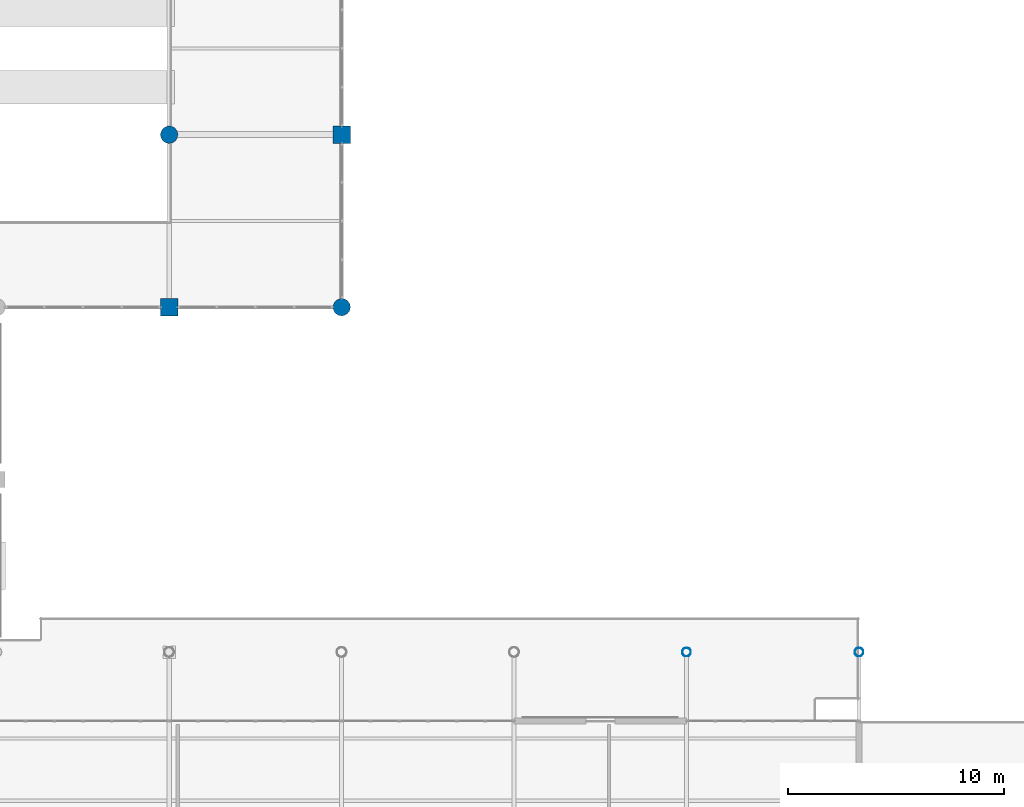
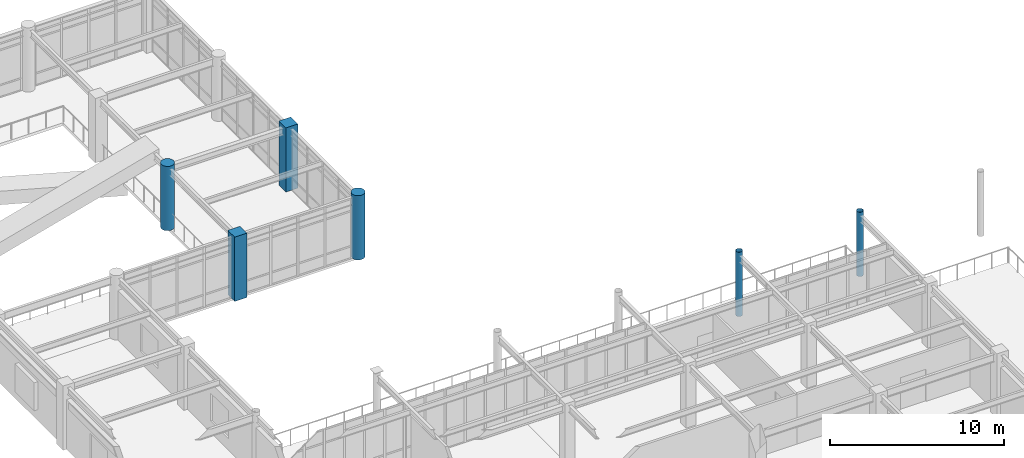
# One storey, part 5 of 75: 6 columns.
"""IFC4 building model written with IfcOpenShell, lengths in metres."""

from ifc_helpers import new_model, si_unit, direction, frame, origin, origin_2d, place, context, subcontext, project, spatial, rectangle, circle, hollow_circle, extrude, material, material_profile, profile_set, type_object, element, save


model = new_model("IFC4")

# Units and contexts
model_context = context("Model", 3, precision=1e-05, world=origin(), true_north=direction((0.0, 1.0)))
body_context = subcontext(model_context, "Body", "Model", "MODEL_VIEW")
ifc_project = project(units=[si_unit("LENGTHUNIT", "METRE"), si_unit("AREAUNIT", "SQUARE_METRE"), si_unit("VOLUMEUNIT", "CUBIC_METRE"), si_unit("PLANEANGLEUNIT", "RADIAN"), si_unit("MASSUNIT", "GRAM", prefix="KILO")], contexts=[model_context])

# Site, building, storey
site_placement = place(None, origin())
site = spatial("IfcSite", under=ifc_project, at=site_placement, CompositionType="ELEMENT")
building_placement = place(site_placement, origin())
building = spatial("IfcBuilding", under=site, at=building_placement, Name="Solmirada Galleria", CompositionType="ELEMENT")
storey_placement = place(building_placement, frame((0.0, 0.0, 19.39990234375)))
storey = spatial("IfcBuildingStorey", under=building, at=storey_placement, Name="L04", CompositionType="ELEMENT", Elevation=19.39990234375)

# Columns
ifc_material_1 = material(Name="Steel S355 / ASTM A500 Grade C", Category="steel")
ifc_material_profile_1 = material_profile(ifc_material_1, hollow_circle(Radius=0.202880859375, WallThickness=0.01171875, at=origin_2d()), Name="HSS16.000X0.500")
ifc_profile_set_1 = profile_set([ifc_material_profile_1], Name="Steel S355 / ASTM A500 Grade C")
column_type_1 = type_object("IfcColumnType", Name="COL-CHS16", PredefinedType="COLUMN", material=ifc_profile_set_1)
for number, where, z_axis, x_axis, name in (
    (1, (128.0, 32.0, 0.0), (0.0, 0.0, 1.0), (1.0, 0.0, 0.0), "Structural column L04-1039"),
    (2, (136.0, 32.0, 0.0), (0.0, 0.0, 1.0), (1.0, 0.0, 0.0), "Structural column L04-1140"),
):
    element("IfcColumn", number, at=place(storey_placement, frame(where, z_axis=z_axis, x_axis=x_axis)), inside=storey, type_object=column_type_1, Name=name, PredefinedType="COLUMN", context=body_context, shape_type="SweptSolid", body=[
        extrude(hollow_circle(Radius=0.202880859375, WallThickness=0.01171875, at=origin_2d()), origin(), (0.0, 0.0, 1.0), 4.5),
    ])
ifc_material_2 = material(Name="Concrete C40/50", Category="concrete")
ifc_material_profile_2 = material_profile(ifc_material_2, circle(Radius=0.39990234375, at=origin_2d()), Name="RCCOL800")
ifc_profile_set_2 = profile_set([ifc_material_profile_2], Name="Concrete C40/50")
column_type_2 = type_object("IfcColumnType", Name="COL-CIR800", PredefinedType="COLUMN", material=ifc_profile_set_2)
for number, where, z_axis, x_axis, name in (
    (3, (104.0, 56.0, 0.0), (0.0, 0.0, 1.0), (1.0, 0.0, 0.0), "Structural column L04-0747"),
    (4, (112.0, 48.0, 0.0), (0.0, 0.0, 1.0), (1.0, 0.0, 0.0), "Structural column L04-0850"),
):
    element("IfcColumn", number, at=place(storey_placement, frame(where, z_axis=z_axis, x_axis=x_axis)), inside=storey, type_object=column_type_2, Name=name, PredefinedType="COLUMN", context=body_context, shape_type="SweptSolid", body=[
        extrude(circle(Radius=0.39990234375, at=origin_2d()), origin(), (0.0, 0.0, 1.0), 4.5),
    ])
ifc_material_profile_3 = material_profile(ifc_material_2, rectangle(XDim=0.800048828125, YDim=0.800048828125, at=origin_2d()), Name="RC800X800")
ifc_profile_set_3 = profile_set([ifc_material_profile_3], Name="Concrete C40/50")
column_type_3 = type_object("IfcColumnType", Name="COL-RC800", PredefinedType="COLUMN", material=ifc_profile_set_3)
for number, where, z_axis, x_axis, name in (
    (5, (104.0, 48.0, 0.0), (0.0, 0.0, 1.0), (1.0, 0.0, 0.0), "Structural column L04-0738"),
    (6, (112.0, 56.0, 0.0), (0.0, 0.0, 1.0), (1.0, 0.0, 0.0), "Structural column L04-0859"),
):
    element("IfcColumn", number, at=place(storey_placement, frame(where, z_axis=z_axis, x_axis=x_axis)), inside=storey, type_object=column_type_3, Name=name, PredefinedType="COLUMN", context=body_context, shape_type="SweptSolid", body=[
        extrude(rectangle(XDim=0.800048828125, YDim=0.800048828125, at=origin_2d()), origin(), (0.0, 0.0, 1.0), 4.5),
    ])

save(model, "model.ifc")
